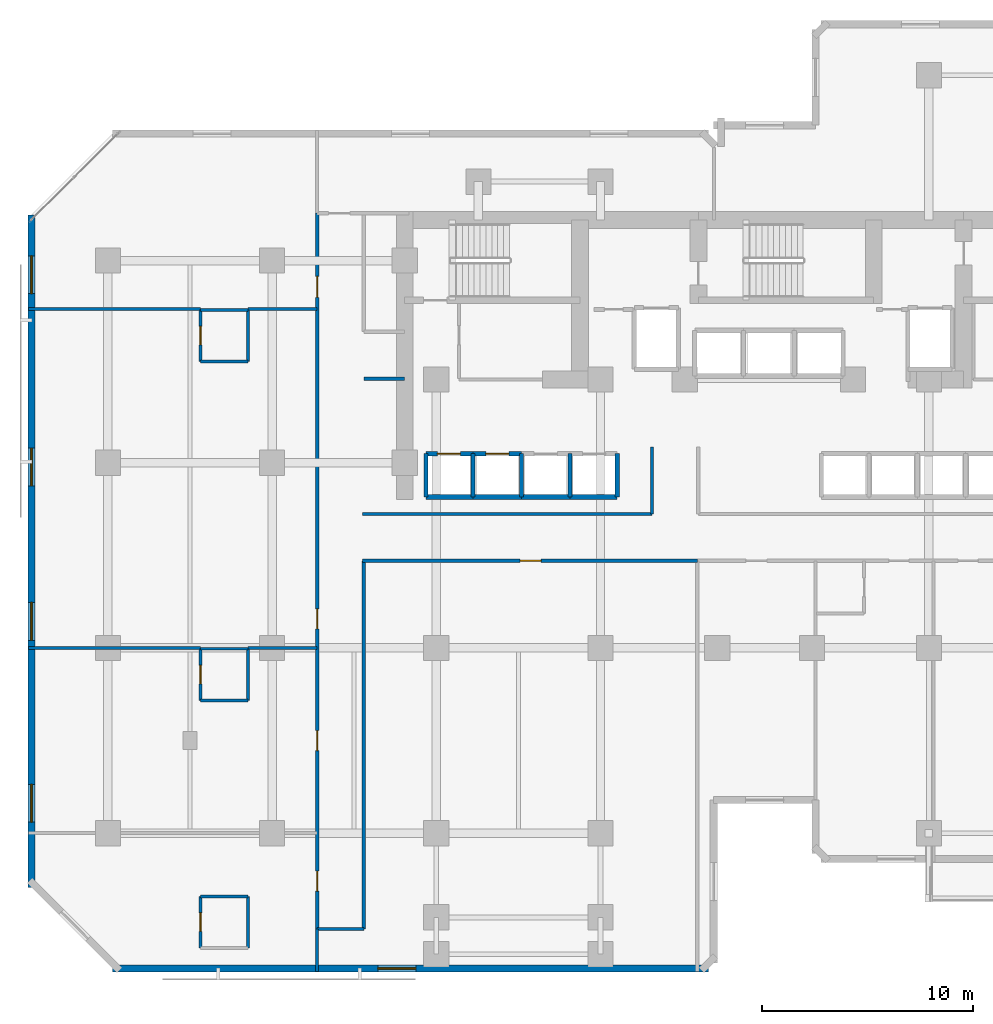
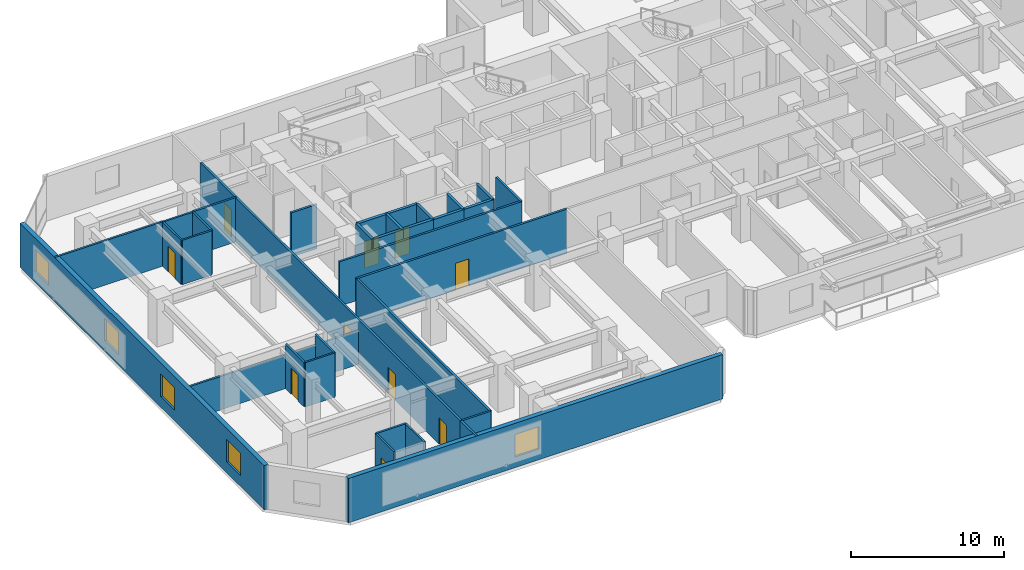
# One storey, part 6 of 12: 36 walls, 10 doors, 5 windows, 15 openings.
"""IFC4 building model written with IfcOpenShell, lengths in metres."""

from ifc_helpers import new_model, si_unit, direction, frame, frame_2d, origin, place, context, subcontext, project, spatial, rectangle, extrude, material, layer, layer_set, type_object, element, fill, save


model = new_model("IFC4")

# Units and contexts
model_context = context("Model", 3, precision=1e-05, world=origin(), true_north=direction((0.0, 1.0)))
body_context = subcontext(model_context, "Body", "Model", "MODEL_VIEW")
ifc_project = project(units=[si_unit("LENGTHUNIT", "METRE"), si_unit("AREAUNIT", "SQUARE_METRE"), si_unit("VOLUMEUNIT", "CUBIC_METRE"), si_unit("PLANEANGLEUNIT", "RADIAN"), si_unit("MASSUNIT", "GRAM", prefix="KILO")], contexts=[model_context])

# Site, building, storey
site_placement = place(None, origin())
site = spatial("IfcSite", under=ifc_project, at=site_placement, CompositionType="ELEMENT")
building_placement = place(site_placement, origin())
building = spatial("IfcBuilding", under=site, at=building_placement, Name="Kestravale Grand Hotel", CompositionType="ELEMENT")
storey_placement = place(building_placement, frame((0.0, 0.0, 110.800048828125)))
storey = spatial("IfcBuildingStorey", under=building, at=storey_placement, Name="L27", CompositionType="ELEMENT", Elevation=110.800048828125)

# Wall, opening, window
ifc_material_1 = material(Name="Precast concrete f'c 45 MPa", Category="concrete")
ifc_layer_1 = layer(ifc_material_1, 0.340087890625)
ifc_layer_set_1 = layer_set([ifc_layer_1], Name="EW-PREC-340")
wall_type_1 = type_object("IfcWallType", Name="EW-PREC-340", PredefinedType="SOLIDWALL", material=ifc_layer_set_1)
wall_1_placement = place(storey_placement, frame((8.030029296875, 4.77001953125, 0.0), z_axis=(0.0, 0.0, 1.0), x_axis=(1.0, 0.0, 0.0)))
wall_1 = element("IfcWall", 1, at=wall_1_placement, inside=storey, type_object=wall_type_1, Name="L27 fluted precast facade wall 1", PredefinedType="SOLIDWALL", context=body_context, shape_type="SweptSolid", body=[
    extrude(rectangle(XDim=28.2900390625, YDim=0.340087890625, at=frame_2d((14.14501953125, 0.0))), origin(), (0.0, 0.0, 1.0), 3.5400390625),
])
opening_1_placement = place(wall_1_placement, frame((12.594970703125, 0.0, 0.85009765625)))
opening_1 = element("IfcOpeningElement", 2, at=opening_1_placement, cuts=wall_1, Name="Opening W-GUEST-1800", PredefinedType="OPENING", context=body_context, shape_type="SweptSolid", body=[
    extrude(rectangle(XDim=1.800048828125, YDim=1.800048828125, at=frame_2d((0.89990234375, 0.89990234375))), frame((0.0, 0.179931640625, 0.0), z_axis=(0.0, -1.0, 0.0), x_axis=(1.0, 0.0, 0.0)), (0.0, 0.0, 1.0), 0.360107421875),
])
ifc_material_2 = material(Name="Insulated low-E double glazing in aluminium frame", Category="aluminium")
window_type = type_object("IfcWindowType", Name="W-GUEST-1800", PartitioningType="DOUBLE_PANEL_VERTICAL", PredefinedType="WINDOW", material=ifc_material_2)
window_1_placement = place(opening_1_placement, origin())
window_1 = element("IfcWindow", 3, at=window_1_placement, inside=storey, type_object=window_type, Name="L27 exterior window 1.1", OverallHeight=1.800048828125, OverallWidth=1.800048828125, PartitioningType="SINGLE_PANEL", PredefinedType="WINDOW", context=body_context, shape_type="SweptSolid", body=[
    extrude(rectangle(XDim=1.800048828125, YDim=1.800048828125, at=frame_2d((0.89990234375, 0.89990234375))), frame((0.0, 0.030029296875, 0.0), z_axis=(0.0, -1.0, 0.0), x_axis=(1.0, 0.0, 0.0)), (0.0, 0.0, 1.0), 0.06005859375),
])
fill(opening_1, window_1)

# Wall, openings, windows
wall_2_placement = place(storey_placement, frame((4.169921875, 40.570068359375, 0.0), z_axis=(0.0, 0.0, 1.0), x_axis=(0.0, -1.0, 0.0)))
wall_2 = element("IfcWall", 4, at=wall_2_placement, inside=storey, type_object=wall_type_1, Name="L27 fluted precast facade wall 19", PredefinedType="SOLIDWALL", context=body_context, shape_type="SweptSolid", body=[
    extrude(rectangle(XDim=31.940185546875, YDim=0.340087890625, at=frame_2d((15.97021484375, 0.0))), origin(), (0.0, 0.0, 1.0), 3.5400390625),
])
opening_2_placement = place(wall_2_placement, frame((1.9423828125, 0.0, 0.85009765625)))
opening_2 = element("IfcOpeningElement", 5, at=opening_2_placement, cuts=wall_2, Name="Opening W-GUEST-1800", PredefinedType="OPENING", context=body_context, shape_type="SweptSolid", body=[
    extrude(rectangle(XDim=1.800048828125, YDim=1.800048828125, at=frame_2d((0.89990234375, 0.89990234375))), frame((0.0, 0.179931640625, 0.0), z_axis=(0.0, -1.0, 0.0), x_axis=(1.0, 0.0, 0.0)), (0.0, 0.0, 1.0), 0.360107421875),
])
opening_3_placement = place(wall_2_placement, frame((11.077392578125, 0.0, 0.85009765625)))
opening_3 = element("IfcOpeningElement", 6, at=opening_3_placement, cuts=wall_2, Name="Opening W-GUEST-1800", PredefinedType="OPENING", context=body_context, shape_type="SweptSolid", body=[
    extrude(rectangle(XDim=1.800048828125, YDim=1.800048828125, at=frame_2d((0.89990234375, 0.89990234375))), frame((0.0, 0.179931640625, 0.0), z_axis=(0.0, -1.0, 0.0), x_axis=(1.0, 0.0, 0.0)), (0.0, 0.0, 1.0), 0.360107421875),
])
opening_4_placement = place(wall_2_placement, frame((18.41259765625, 0.0, 0.85009765625)))
opening_4 = element("IfcOpeningElement", 7, at=opening_4_placement, cuts=wall_2, Name="Opening W-GUEST-1800", PredefinedType="OPENING", context=body_context, shape_type="SweptSolid", body=[
    extrude(rectangle(XDim=1.800048828125, YDim=1.800048828125, at=frame_2d((0.89990234375, 0.89990234375))), frame((0.0, 0.179931640625, 0.0), z_axis=(0.0, -1.0, 0.0), x_axis=(1.0, 0.0, 0.0)), (0.0, 0.0, 1.0), 0.360107421875),
])
opening_5_placement = place(wall_2_placement, frame((27.047607421875, 0.0, 0.85009765625)))
opening_5 = element("IfcOpeningElement", 8, at=opening_5_placement, cuts=wall_2, Name="Opening W-GUEST-1800", PredefinedType="OPENING", context=body_context, shape_type="SweptSolid", body=[
    extrude(rectangle(XDim=1.800048828125, YDim=1.800048828125, at=frame_2d((0.89990234375, 0.89990234375))), frame((0.0, 0.179931640625, 0.0), z_axis=(0.0, -1.0, 0.0), x_axis=(1.0, 0.0, 0.0)), (0.0, 0.0, 1.0), 0.360107421875),
])
window_2_placement = place(opening_2_placement, origin())
window_2 = element("IfcWindow", 9, at=window_2_placement, inside=storey, type_object=window_type, Name="L27 exterior window 19.1", OverallHeight=1.800048828125, OverallWidth=1.800048828125, PartitioningType="SINGLE_PANEL", PredefinedType="WINDOW", context=body_context, shape_type="SweptSolid", body=[
    extrude(rectangle(XDim=1.800048828125, YDim=1.800048828125, at=frame_2d((0.89990234375, 0.89990234375))), frame((0.0, 0.030029296875, 0.0), z_axis=(0.0, -1.0, 0.0), x_axis=(1.0, 0.0, 0.0)), (0.0, 0.0, 1.0), 0.06005859375),
])
fill(opening_2, window_2)
window_3_placement = place(opening_3_placement, origin())
window_3 = element("IfcWindow", 10, at=window_3_placement, inside=storey, type_object=window_type, Name="L27 exterior window 19.2", OverallHeight=1.800048828125, OverallWidth=1.800048828125, PartitioningType="SINGLE_PANEL", PredefinedType="WINDOW", context=body_context, shape_type="SweptSolid", body=[
    extrude(rectangle(XDim=1.800048828125, YDim=1.800048828125, at=frame_2d((0.89990234375, 0.89990234375))), frame((0.0, 0.030029296875, 0.0), z_axis=(0.0, -1.0, 0.0), x_axis=(1.0, 0.0, 0.0)), (0.0, 0.0, 1.0), 0.06005859375),
])
fill(opening_3, window_3)
window_4_placement = place(opening_4_placement, origin())
window_4 = element("IfcWindow", 11, at=window_4_placement, inside=storey, type_object=window_type, Name="L27 exterior window 19.3", OverallHeight=1.800048828125, OverallWidth=1.800048828125, PartitioningType="SINGLE_PANEL", PredefinedType="WINDOW", context=body_context, shape_type="SweptSolid", body=[
    extrude(rectangle(XDim=1.800048828125, YDim=1.800048828125, at=frame_2d((0.89990234375, 0.89990234375))), frame((0.0, 0.030029296875, 0.0), z_axis=(0.0, -1.0, 0.0), x_axis=(1.0, 0.0, 0.0)), (0.0, 0.0, 1.0), 0.06005859375),
])
fill(opening_4, window_4)
window_5_placement = place(opening_5_placement, origin())
window_5 = element("IfcWindow", 12, at=window_5_placement, inside=storey, type_object=window_type, Name="L27 exterior window 19.4", OverallHeight=1.800048828125, OverallWidth=1.800048828125, PartitioningType="SINGLE_PANEL", PredefinedType="WINDOW", context=body_context, shape_type="SweptSolid", body=[
    extrude(rectangle(XDim=1.800048828125, YDim=1.800048828125, at=frame_2d((0.89990234375, 0.89990234375))), frame((0.0, 0.030029296875, 0.0), z_axis=(0.0, -1.0, 0.0), x_axis=(1.0, 0.0, 0.0)), (0.0, 0.0, 1.0), 0.06005859375),
])
fill(opening_5, window_5)

# Walls
ifc_material_3 = material(Name="Acoustic fire-rated gypsum board partition", Category="other")
ifc_layer_2 = layer(ifc_material_3, 0.159912109375)
ifc_layer_set_2 = layer_set([ifc_layer_2], Name="IW-CORR-160")
wall_type_2 = type_object("IfcWallType", Name="IW-CORR-160", PredefinedType="PARTITIONING", material=ifc_layer_set_2)
wall_3_placement = place(storey_placement, frame((19.89990234375, 26.360107421875, 0.0), z_axis=(0.0, 0.0, 1.0), x_axis=(1.0, 0.0, 0.0)))
element("IfcWall", 13, at=wall_3_placement, inside=storey, type_object=wall_type_2, Name="W-L27-CW-N", PredefinedType="PARTITIONING", context=body_context, shape_type="SweptSolid", body=[
    extrude(rectangle(XDim=13.75, YDim=0.159912109375, at=frame_2d((6.875, 0.0))), origin(), (0.0, 0.0, 1.0), 3.5400390625),
])
wall_4_placement = place(storey_placement, frame((33.64990234375, 26.360107421875, 0.0), z_axis=(0.0, 0.0, 1.0), x_axis=(0.0, 1.0, 0.0)))
element("IfcWall", 14, at=wall_4_placement, inside=storey, type_object=wall_type_2, Name="W-L27-TRUNK-W", PredefinedType="PARTITIONING", context=body_context, shape_type="SweptSolid", body=[
    extrude(rectangle(XDim=3.18994140625, YDim=0.159912109375, at=frame_2d((1.594970703125, 0.0))), origin(), (0.0, 0.0, 1.0), 3.5400390625),
])

# Wall, opening, door
wall_5_placement = place(storey_placement, frame((19.89990234375, 24.139892578125, 0.0), z_axis=(0.0, 0.0, 1.0), x_axis=(1.0, 0.0, 0.0)))
wall_5 = element("IfcWall", 15, at=wall_5_placement, inside=storey, type_object=wall_type_2, Name="W-L27-CW-S", PredefinedType="PARTITIONING", context=body_context, shape_type="SweptSolid", body=[
    extrude(rectangle(XDim=15.900146484375, YDim=0.159912109375, at=frame_2d((7.9501953125, 0.0))), origin(), (0.0, 0.0, 1.0), 3.5400390625),
])
opening_6_placement = place(wall_5_placement, frame((7.47998046875, 0.0, 0.0)))
opening_6 = element("IfcOpeningElement", 16, at=opening_6_placement, cuts=wall_5, Name="Opening D-GUEST-1000", PredefinedType="OPENING", context=body_context, shape_type="SweptSolid", body=[
    extrude(rectangle(XDim=1.0, YDim=2.14990234375, at=frame_2d((0.5, 1.074951171875))), frame((0.0, 0.08984375, 0.0), z_axis=(0.0, -1.0, 0.0), x_axis=(1.0, 0.0, 0.0)), (0.0, 0.0, 1.0), 0.179931640625),
])
ifc_material_4 = material(Name="Accessible walnut veneer hotel entrance fire door", Category="wood")
door_type_1 = type_object("IfcDoorType", Name="D-GUEST-1000", OperationType="NOTDEFINED", PredefinedType="DOOR", material=ifc_material_4)
door_1_placement = place(opening_6_placement, origin())
door_1 = element("IfcDoor", 17, at=door_1_placement, inside=storey, type_object=door_type_1, Name="D-L27-AMW", OperationType="SINGLE_SWING_RIGHT", OverallHeight=2.14990234375, OverallWidth=1.0, PredefinedType="DOOR", context=body_context, shape_type="SweptSolid", body=[
    extrude(rectangle(XDim=1.0, YDim=2.14990234375, at=frame_2d((0.5, 1.074951171875))), frame((0.0, 0.02490234375, 0.0), z_axis=(0.0, -1.0, 0.0), x_axis=(1.0, 0.0, 0.0)), (0.0, 0.0, 1.0), 0.050048828125),
])
fill(opening_6, door_1)

# Wall, openings, doors
wall_6_placement = place(storey_placement, frame((17.739990234375, 6.64990234375, 0.0), z_axis=(0.0, 0.0, 1.0), x_axis=(0.0, 1.0, 0.0)))
wall_6 = element("IfcWall", 18, at=wall_6_placement, inside=storey, type_object=wall_type_2, Name="W-L27-SW-W", PredefinedType="PARTITIONING", context=body_context, shape_type="SweptSolid", body=[
    extrude(rectangle(XDim=34.0, YDim=0.159912109375, at=frame_2d((17.0, 0.0))), origin(), (0.0, 0.0, 1.0), 3.5400390625),
])
opening_7_placement = place(wall_6_placement, frame((1.800048828125, 0.0, 0.0)))
opening_7 = element("IfcOpeningElement", 19, at=opening_7_placement, cuts=wall_6, Name="Opening D-GUEST-950", PredefinedType="OPENING", context=body_context, shape_type="SweptSolid", body=[
    extrude(rectangle(XDim=0.949951171875, YDim=2.10009765625, at=frame_2d((0.47509765625, 1.050048828125))), frame((0.0, 0.08984375, 0.0), z_axis=(0.0, -1.0, 0.0), x_axis=(1.0, 0.0, 0.0)), (0.0, 0.0, 1.0), 0.179931640625),
])
opening_8_placement = place(wall_6_placement, frame((8.47509765625, 0.0, 0.0)))
opening_8 = element("IfcOpeningElement", 20, at=opening_8_placement, cuts=wall_6, Name="Opening D-GUEST-950", PredefinedType="OPENING", context=body_context, shape_type="SweptSolid", body=[
    extrude(rectangle(XDim=0.949951171875, YDim=2.10009765625, at=frame_2d((0.47509765625, 1.050048828125))), frame((0.0, 0.08984375, 0.0), z_axis=(0.0, -1.0, 0.0), x_axis=(1.0, 0.0, 0.0)), (0.0, 0.0, 1.0), 0.179931640625),
])
opening_9_placement = place(wall_6_placement, frame((14.254638671875, 0.0, 0.0)))
opening_9 = element("IfcOpeningElement", 21, at=opening_9_placement, cuts=wall_6, Name="Opening D-GUEST-950", PredefinedType="OPENING", context=body_context, shape_type="SweptSolid", body=[
    extrude(rectangle(XDim=0.949951171875, YDim=2.10009765625, at=frame_2d((0.47509765625, 1.050048828125))), frame((0.0, 0.08984375, 0.0), z_axis=(0.0, -1.0, 0.0), x_axis=(1.0, 0.0, 0.0)), (0.0, 0.0, 1.0), 0.179931640625),
])
opening_10_placement = place(wall_6_placement, frame((30.0, 0.0, 0.0)))
opening_10 = element("IfcOpeningElement", 22, at=opening_10_placement, cuts=wall_6, Name="Opening D-GUEST-1000", PredefinedType="OPENING", context=body_context, shape_type="SweptSolid", body=[
    extrude(rectangle(XDim=1.0, YDim=2.14990234375, at=frame_2d((0.5, 1.074951171875))), frame((0.0, 0.08984375, 0.0), z_axis=(0.0, -1.0, 0.0), x_axis=(1.0, 0.0, 0.0)), (0.0, 0.0, 1.0), 0.179931640625),
])
door_2_placement = place(opening_10_placement, origin())
door_2 = element("IfcDoor", 23, at=door_2_placement, inside=storey, type_object=door_type_1, Name="D-L27-AMWW", OperationType="SINGLE_SWING_RIGHT", OverallHeight=2.14990234375, OverallWidth=1.0, PredefinedType="DOOR", context=body_context, shape_type="SweptSolid", body=[
    extrude(rectangle(XDim=1.0, YDim=2.14990234375, at=frame_2d((0.5, 1.074951171875))), frame((0.0, 0.02490234375, 0.0), z_axis=(0.0, -1.0, 0.0), x_axis=(1.0, 0.0, 0.0)), (0.0, 0.0, 1.0), 0.050048828125),
])
fill(opening_10, door_2)
ifc_material_5 = material(Name="Walnut veneer hotel guestroom entrance fire door", Category="wood")
door_type_2 = type_object("IfcDoorType", Name="D-GUEST-950", OperationType="NOTDEFINED", PredefinedType="DOOR", material=ifc_material_5)
door_3_placement = place(opening_7_placement, origin())
door_3 = element("IfcDoor", 24, at=door_3_placement, inside=storey, type_object=door_type_2, Name="D-L27-U04-ENT", OperationType="SINGLE_SWING_LEFT", OverallHeight=2.10009765625, OverallWidth=0.949951171875, PredefinedType="DOOR", context=body_context, shape_type="SweptSolid", body=[
    extrude(rectangle(XDim=0.949951171875, YDim=2.10009765625, at=frame_2d((0.47509765625, 1.050048828125))), frame((0.0, 0.02490234375, 0.0), z_axis=(0.0, -1.0, 0.0), x_axis=(1.0, 0.0, 0.0)), (0.0, 0.0, 1.0), 0.050048828125),
])
fill(opening_7, door_3)
door_4_placement = place(opening_8_placement, origin())
door_4 = element("IfcDoor", 25, at=door_4_placement, inside=storey, type_object=door_type_2, Name="D-L27-U05-ENT", OperationType="SINGLE_SWING_LEFT", OverallHeight=2.10009765625, OverallWidth=0.949951171875, PredefinedType="DOOR", context=body_context, shape_type="SweptSolid", body=[
    extrude(rectangle(XDim=0.949951171875, YDim=2.10009765625, at=frame_2d((0.47509765625, 1.050048828125))), frame((0.0, 0.02490234375, 0.0), z_axis=(0.0, -1.0, 0.0), x_axis=(1.0, 0.0, 0.0)), (0.0, 0.0, 1.0), 0.050048828125),
])
fill(opening_8, door_4)
door_5_placement = place(opening_9_placement, origin())
door_5 = element("IfcDoor", 26, at=door_5_placement, inside=storey, type_object=door_type_2, Name="D-L27-U06-ENT", OperationType="SINGLE_SWING_LEFT", OverallHeight=2.10009765625, OverallWidth=0.949951171875, PredefinedType="DOOR", context=body_context, shape_type="SweptSolid", body=[
    extrude(rectangle(XDim=0.949951171875, YDim=2.10009765625, at=frame_2d((0.47509765625, 1.050048828125))), frame((0.0, 0.02490234375, 0.0), z_axis=(0.0, -1.0, 0.0), x_axis=(1.0, 0.0, 0.0)), (0.0, 0.0, 1.0), 0.050048828125),
])
fill(opening_9, door_5)

# Walls
wall_7_placement = place(storey_placement, frame((19.9599609375, 6.64990234375, 0.0), z_axis=(0.0, 0.0, 1.0), x_axis=(0.0, 1.0, 0.0)))
element("IfcWall", 27, at=wall_7_placement, inside=storey, type_object=wall_type_2, Name="W-L27-SW-E", PredefinedType="PARTITIONING", context=body_context, shape_type="SweptSolid", body=[
    extrude(rectangle(XDim=17.489990234375, YDim=0.159912109375, at=frame_2d((8.7451171875, 0.0))), origin(), (0.0, 0.0, 1.0), 3.5400390625),
])
wall_8_placement = place(storey_placement, frame((19.9599609375, 32.780029296875, 0.0), z_axis=(0.0, 0.0, 1.0), x_axis=(1.0, 0.0, 0.0)))
element("IfcWall", 28, at=wall_8_placement, inside=storey, type_object=wall_type_2, Name="W-L27-SW-CS", PredefinedType="PARTITIONING", context=body_context, shape_type="SweptSolid", body=[
    extrude(rectangle(XDim=1.93994140625, YDim=0.159912109375, at=frame_2d((0.969970703125, 0.0))), origin(), (0.0, 0.0, 1.0), 3.5400390625),
])

# Wall, opening, door
ifc_material_6 = material(Name="Moisture-resistant tile-backer plumbing chase wall", Category="other")
ifc_layer_3 = layer(ifc_material_6, 0.139892578125)
ifc_layer_set_3 = layer_set([ifc_layer_3], Name="IW-PLB-140")
wall_type_3 = type_object("IfcWallType", Name="IW-PLB-140", PredefinedType="PLUMBINGWALL", material=ifc_layer_set_3)
wall_9_placement = place(storey_placement, frame((12.199951171875, 5.75, 0.0), z_axis=(0.0, 0.0, 1.0), x_axis=(0.0, 1.0, 0.0)))
wall_9 = element("IfcWall", 29, at=wall_9_placement, inside=storey, type_object=wall_type_3, Name="W-L27-U04-BW", PredefinedType="PLUMBINGWALL", context=body_context, shape_type="SweptSolid", body=[
    extrude(rectangle(XDim=2.449951171875, YDim=0.139892578125, at=frame_2d((1.22509765625, 0.0))), origin(), (0.0, 0.0, 1.0), 3.5400390625),
])
opening_11_placement = place(wall_9_placement, frame((0.784912109375, 0.0, 0.0)))
opening_11 = element("IfcOpeningElement", 30, at=opening_11_placement, cuts=wall_9, Name="Opening D-BATH-880", PredefinedType="OPENING", context=body_context, shape_type="SweptSolid", body=[
    extrude(rectangle(XDim=0.8798828125, YDim=2.050048828125, at=frame_2d((0.43994140625, 1.02490234375))), frame((0.0, 0.079833984375, 0.0), z_axis=(0.0, -1.0, 0.0), x_axis=(1.0, 0.0, 0.0)), (0.0, 0.0, 1.0), 0.159912109375),
])
ifc_material_7 = material(Name="Moisture-sealed walnut en-suite bathroom door", Category="wood")
door_type_3 = type_object("IfcDoorType", Name="D-BATH-880", OperationType="NOTDEFINED", PredefinedType="DOOR", material=ifc_material_7)
door_6_placement = place(opening_11_placement, origin())
door_6 = element("IfcDoor", 31, at=door_6_placement, inside=storey, type_object=door_type_3, Name="D-L27-U04-BATH", OperationType="SINGLE_SWING_RIGHT", OverallHeight=2.050048828125, OverallWidth=0.8798828125, PredefinedType="DOOR", context=body_context, shape_type="SweptSolid", body=[
    extrude(rectangle(XDim=0.8798828125, YDim=2.050048828125, at=frame_2d((0.43994140625, 1.02490234375))), frame((0.0, 0.02490234375, 0.0), z_axis=(0.0, -1.0, 0.0), x_axis=(1.0, 0.0, 0.0)), (0.0, 0.0, 1.0), 0.050048828125),
])
fill(opening_11, door_6)

# Walls
wall_10_placement = place(storey_placement, frame((14.449951171875, 5.75, 0.0), z_axis=(0.0, 0.0, 1.0), x_axis=(0.0, 1.0, 0.0)))
element("IfcWall", 32, at=wall_10_placement, inside=storey, type_object=wall_type_3, Name="W-L27-U04-BE", PredefinedType="PLUMBINGWALL", context=body_context, shape_type="SweptSolid", body=[
    extrude(rectangle(XDim=2.449951171875, YDim=0.139892578125, at=frame_2d((1.22509765625, 0.0))), origin(), (0.0, 0.0, 1.0), 3.5400390625),
])
wall_11_placement = place(storey_placement, frame((12.199951171875, 8.199951171875, 0.0), z_axis=(0.0, 0.0, 1.0), x_axis=(1.0, 0.0, 0.0)))
element("IfcWall", 33, at=wall_11_placement, inside=storey, type_object=wall_type_3, Name="W-L27-U04-BN", PredefinedType="PLUMBINGWALL", context=body_context, shape_type="SweptSolid", body=[
    extrude(rectangle(XDim=2.25, YDim=0.139892578125, at=frame_2d((1.125, 0.0))), origin(), (0.0, 0.0, 1.0), 3.5400390625),
])

# Wall, opening, door
wall_12_placement = place(storey_placement, frame((12.199951171875, 17.510009765625, 0.0), z_axis=(0.0, 0.0, 1.0), x_axis=(0.0, 1.0, 0.0)))
wall_12 = element("IfcWall", 34, at=wall_12_placement, inside=storey, type_object=wall_type_3, Name="W-L27-U05-BW", PredefinedType="PLUMBINGWALL", context=body_context, shape_type="SweptSolid", body=[
    extrude(rectangle(XDim=2.449951171875, YDim=0.139892578125, at=frame_2d((1.22509765625, 0.0))), origin(), (0.0, 0.0, 1.0), 3.5400390625),
])
opening_12_placement = place(wall_12_placement, frame((0.784912109375, 0.0, 0.0)))
opening_12 = element("IfcOpeningElement", 35, at=opening_12_placement, cuts=wall_12, Name="Opening D-BATH-880", PredefinedType="OPENING", context=body_context, shape_type="SweptSolid", body=[
    extrude(rectangle(XDim=0.8798828125, YDim=2.050048828125, at=frame_2d((0.43994140625, 1.02490234375))), frame((0.0, 0.079833984375, 0.0), z_axis=(0.0, -1.0, 0.0), x_axis=(1.0, 0.0, 0.0)), (0.0, 0.0, 1.0), 0.159912109375),
])
door_7_placement = place(opening_12_placement, origin())
door_7 = element("IfcDoor", 36, at=door_7_placement, inside=storey, type_object=door_type_3, Name="D-L27-U05-BATH", OperationType="SINGLE_SWING_RIGHT", OverallHeight=2.050048828125, OverallWidth=0.8798828125, PredefinedType="DOOR", context=body_context, shape_type="SweptSolid", body=[
    extrude(rectangle(XDim=0.8798828125, YDim=2.050048828125, at=frame_2d((0.43994140625, 1.02490234375))), frame((0.0, 0.02490234375, 0.0), z_axis=(0.0, -1.0, 0.0), x_axis=(1.0, 0.0, 0.0)), (0.0, 0.0, 1.0), 0.050048828125),
])
fill(opening_12, door_7)

# Walls
wall_13_placement = place(storey_placement, frame((14.449951171875, 17.510009765625, 0.0), z_axis=(0.0, 0.0, 1.0), x_axis=(0.0, 1.0, 0.0)))
element("IfcWall", 37, at=wall_13_placement, inside=storey, type_object=wall_type_3, Name="W-L27-U05-BE", PredefinedType="PLUMBINGWALL", context=body_context, shape_type="SweptSolid", body=[
    extrude(rectangle(XDim=2.449951171875, YDim=0.139892578125, at=frame_2d((1.22509765625, 0.0))), origin(), (0.0, 0.0, 1.0), 3.5400390625),
])
wall_14_placement = place(storey_placement, frame((12.199951171875, 17.510009765625, 0.0), z_axis=(0.0, 0.0, 1.0), x_axis=(1.0, 0.0, 0.0)))
element("IfcWall", 38, at=wall_14_placement, inside=storey, type_object=wall_type_3, Name="W-L27-U05-BS", PredefinedType="PLUMBINGWALL", context=body_context, shape_type="SweptSolid", body=[
    extrude(rectangle(XDim=2.25, YDim=0.139892578125, at=frame_2d((1.125, 0.0))), origin(), (0.0, 0.0, 1.0), 3.5400390625),
])
wall_15_placement = place(storey_placement, frame((12.199951171875, 19.9599609375, 0.0), z_axis=(0.0, 0.0, 1.0), x_axis=(1.0, 0.0, 0.0)))
element("IfcWall", 39, at=wall_15_placement, inside=storey, type_object=wall_type_3, Name="W-L27-U05-BN", PredefinedType="PLUMBINGWALL", context=body_context, shape_type="SweptSolid", body=[
    extrude(rectangle(XDim=2.25, YDim=0.139892578125, at=frame_2d((1.125, 0.0))), origin(), (0.0, 0.0, 1.0), 2.678955078125),
])

# Wall, opening, door
wall_16_placement = place(storey_placement, frame((12.199951171875, 33.610107421875, 0.0), z_axis=(0.0, 0.0, 1.0), x_axis=(0.0, 1.0, 0.0)))
wall_16 = element("IfcWall", 40, at=wall_16_placement, inside=storey, type_object=wall_type_3, Name="W-L27-U06-BW", PredefinedType="PLUMBINGWALL", context=body_context, shape_type="SweptSolid", body=[
    extrude(rectangle(XDim=2.449951171875, YDim=0.139892578125, at=frame_2d((1.22509765625, 0.0))), origin(), (0.0, 0.0, 1.0), 3.5400390625),
])
opening_13_placement = place(wall_16_placement, frame((0.784912109375, 0.0, 0.0)))
opening_13 = element("IfcOpeningElement", 41, at=opening_13_placement, cuts=wall_16, Name="Opening D-BATH-880", PredefinedType="OPENING", context=body_context, shape_type="SweptSolid", body=[
    extrude(rectangle(XDim=0.8798828125, YDim=2.050048828125, at=frame_2d((0.43994140625, 1.02490234375))), frame((0.0, 0.079833984375, 0.0), z_axis=(0.0, -1.0, 0.0), x_axis=(1.0, 0.0, 0.0)), (0.0, 0.0, 1.0), 0.159912109375),
])
door_8_placement = place(opening_13_placement, origin())
door_8 = element("IfcDoor", 42, at=door_8_placement, inside=storey, type_object=door_type_3, Name="D-L27-U06-BATH", OperationType="SINGLE_SWING_RIGHT", OverallHeight=2.050048828125, OverallWidth=0.8798828125, PredefinedType="DOOR", context=body_context, shape_type="SweptSolid", body=[
    extrude(rectangle(XDim=0.8798828125, YDim=2.050048828125, at=frame_2d((0.43994140625, 1.02490234375))), frame((0.0, 0.02490234375, 0.0), z_axis=(0.0, -1.0, 0.0), x_axis=(1.0, 0.0, 0.0)), (0.0, 0.0, 1.0), 0.050048828125),
])
fill(opening_13, door_8)

# Walls
wall_17_placement = place(storey_placement, frame((14.449951171875, 33.610107421875, 0.0), z_axis=(0.0, 0.0, 1.0), x_axis=(0.0, 1.0, 0.0)))
element("IfcWall", 43, at=wall_17_placement, inside=storey, type_object=wall_type_3, Name="W-L27-U06-BE", PredefinedType="PLUMBINGWALL", context=body_context, shape_type="SweptSolid", body=[
    extrude(rectangle(XDim=2.449951171875, YDim=0.139892578125, at=frame_2d((1.22509765625, 0.0))), origin(), (0.0, 0.0, 1.0), 3.5400390625),
])
for number, where, z_axis, x_axis, name in (
    (44, (12.199951171875, 33.610107421875, 0.0), (0.0, 0.0, 1.0), (1.0, 0.0, 0.0), "W-L27-U06-BS"),
    (45, (12.199951171875, 36.06005859375, 0.0), (0.0, 0.0, 1.0), (1.0, 0.0, 0.0), "W-L27-U06-BN"),
):
    element("IfcWall", number, at=place(storey_placement, frame(where, z_axis=z_axis, x_axis=x_axis)), inside=storey, type_object=wall_type_3, Name=name, PredefinedType="PLUMBINGWALL", context=body_context, shape_type="SweptSolid", body=[
        extrude(rectangle(XDim=2.25, YDim=0.139892578125, at=frame_2d((1.125, 0.0))), origin(), (0.0, 0.0, 1.0), 3.5400390625),
    ])
ifc_material_8 = material(Name="Concrete f'c 45 MPa", Category="concrete")
ifc_layer_4 = layer(ifc_material_8, 0.199951171875)
ifc_layer_set_4 = layer_set([ifc_layer_4], Name="IW-SHAFT-200")
wall_type_4 = type_object("IfcWallType", Name="IW-SHAFT-200", PredefinedType="SHEAR", material=ifc_layer_set_4)
for number, where, z_axis, x_axis, name in (
    (46, (22.905029296875, 27.169921875, 0.0), (0.0, 0.0, 1.0), (0.0, 1.0, 0.0), "L27 PL-L1 west shaft wall"),
    (47, (25.14990234375, 27.169921875, 0.0), (0.0, 0.0, 1.0), (0.0, 1.0, 0.0), "L27 PL-L2 west shaft wall"),
    (48, (27.449951171875, 27.169921875, 0.0), (0.0, 0.0, 1.0), (0.0, 1.0, 0.0), "L27 PL-L3 west shaft wall"),
    (49, (29.75, 27.169921875, 0.0), (0.0, 0.0, 1.0), (0.0, 1.0, 0.0), "L27 PL-L4 west shaft wall"),
    (50, (31.9951171875, 27.169921875, 0.0), (0.0, 0.0, 1.0), (0.0, 1.0, 0.0), "L27 PL-L4 east shaft wall"),
):
    element("IfcWall", number, at=place(storey_placement, frame(where, z_axis=z_axis, x_axis=x_axis)), inside=storey, type_object=wall_type_4, Name=name, PredefinedType="SHEAR", context=body_context, shape_type="SweptSolid", body=[
        extrude(rectangle(XDim=2.06005859375, YDim=0.199951171875, at=frame_2d((1.030029296875, 0.0))), origin(), (0.0, 0.0, 1.0), 3.800048828125),
    ])

# Wall, opening, door
ifc_material_9 = material(Name="Concrete f'c 45 MPa", Category="concrete")
ifc_layer_5 = layer(ifc_material_9, 0.219970703125)
ifc_layer_set_5 = layer_set([ifc_layer_5], Name="IW-SHAFT-220")
wall_type_5 = type_object("IfcWallType", Name="IW-SHAFT-220", PredefinedType="SHEAR", material=ifc_layer_set_5)
wall_18_placement = place(storey_placement, frame((22.905029296875, 29.22998046875, 0.0), z_axis=(0.0, 0.0, 1.0), x_axis=(1.0, 0.0, 0.0)))
wall_18 = element("IfcWall", 51, at=wall_18_placement, inside=storey, type_object=wall_type_5, Name="L27 PL-L1 north shaft wall", PredefinedType="SHEAR", context=body_context, shape_type="SweptSolid", body=[
    extrude(rectangle(XDim=2.244873046875, YDim=0.219970703125, at=frame_2d((1.12255859375, 0.0))), origin(), (0.0, 0.0, 1.0), 3.800048828125),
])
opening_14_placement = place(wall_18_placement, frame((0.544921875, 0.0, 0.0)))
opening_14 = element("IfcOpeningElement", 52, at=opening_14_placement, cuts=wall_18, Name="Opening LD-PAX-1100", PredefinedType="OPENING", context=body_context, shape_type="SweptSolid", body=[
    extrude(rectangle(XDim=1.10009765625, YDim=2.14990234375, at=frame_2d((0.550048828125, 1.074951171875))), frame((0.0, 0.119873046875, 0.0), z_axis=(0.0, -1.0, 0.0), x_axis=(1.0, 0.0, 0.0)), (0.0, 0.0, 1.0), 0.239990234375),
])
ifc_material_10 = material(Name="Champagne-bronze center-opening sliding elevator landing door", Category="steel")
door_type_4 = type_object("IfcDoorType", Name="LD-PAX-1100", OperationType="NOTDEFINED", PredefinedType="DOOR", material=ifc_material_10)
door_9_placement = place(opening_14_placement, origin())
door_9 = element("IfcDoor", 53, at=door_9_placement, inside=storey, type_object=door_type_4, Name="L27 PL-L1 elevator landing sliding door", OperationType="DOUBLE_DOOR_SLIDING", OverallHeight=2.14990234375, OverallWidth=1.10009765625, PredefinedType="DOOR", context=body_context, shape_type="SweptSolid", body=[
    extrude(rectangle(XDim=1.10009765625, YDim=2.14990234375, at=frame_2d((0.550048828125, 1.074951171875))), frame((0.0, 0.02490234375, 0.0), z_axis=(0.0, -1.0, 0.0), x_axis=(1.0, 0.0, 0.0)), (0.0, 0.0, 1.0), 0.050048828125),
])
fill(opening_14, door_9)

# Wall
wall_19_placement = place(storey_placement, frame((22.905029296875, 27.169921875, 0.0), z_axis=(0.0, 0.0, 1.0), x_axis=(1.0, 0.0, 0.0)))
element("IfcWall", 54, at=wall_19_placement, inside=storey, type_object=wall_type_5, Name="L27 PL-L1 south shaft wall", PredefinedType="SHEAR", context=body_context, shape_type="SweptSolid", body=[
    extrude(rectangle(XDim=2.244873046875, YDim=0.219970703125, at=frame_2d((1.12255859375, 0.0))), origin(), (0.0, 0.0, 1.0), 3.800048828125),
])

# Wall, opening, door
wall_20_placement = place(storey_placement, frame((25.14990234375, 29.22998046875, 0.0), z_axis=(0.0, 0.0, 1.0), x_axis=(1.0, 0.0, 0.0)))
wall_20 = element("IfcWall", 55, at=wall_20_placement, inside=storey, type_object=wall_type_5, Name="L27 PL-L2 north shaft wall", PredefinedType="SHEAR", context=body_context, shape_type="SweptSolid", body=[
    extrude(rectangle(XDim=2.300048828125, YDim=0.219970703125, at=frame_2d((1.14990234375, 0.0))), origin(), (0.0, 0.0, 1.0), 3.800048828125),
])
opening_15_placement = place(wall_20_placement, frame((0.60009765625, 0.0, 0.0)))
opening_15 = element("IfcOpeningElement", 56, at=opening_15_placement, cuts=wall_20, Name="Opening LD-PAX-1100", PredefinedType="OPENING", context=body_context, shape_type="SweptSolid", body=[
    extrude(rectangle(XDim=1.10009765625, YDim=2.14990234375, at=frame_2d((0.550048828125, 1.074951171875))), frame((0.0, 0.119873046875, 0.0), z_axis=(0.0, -1.0, 0.0), x_axis=(1.0, 0.0, 0.0)), (0.0, 0.0, 1.0), 0.239990234375),
])
door_10_placement = place(opening_15_placement, origin())
door_10 = element("IfcDoor", 57, at=door_10_placement, inside=storey, type_object=door_type_4, Name="L27 PL-L2 elevator landing sliding door", OperationType="DOUBLE_DOOR_SLIDING", OverallHeight=2.14990234375, OverallWidth=1.10009765625, PredefinedType="DOOR", context=body_context, shape_type="SweptSolid", body=[
    extrude(rectangle(XDim=1.10009765625, YDim=2.14990234375, at=frame_2d((0.550048828125, 1.074951171875))), frame((0.0, 0.02490234375, 0.0), z_axis=(0.0, -1.0, 0.0), x_axis=(1.0, 0.0, 0.0)), (0.0, 0.0, 1.0), 0.050048828125),
])
fill(opening_15, door_10)

# Walls
for number, where, z_axis, x_axis, name in (
    (58, (25.14990234375, 27.169921875, 0.0), (0.0, 0.0, 1.0), (1.0, 0.0, 0.0), "L27 PL-L2 south shaft wall"),
    (59, (27.449951171875, 27.169921875, 0.0), (0.0, 0.0, 1.0), (1.0, 0.0, 0.0), "L27 PL-L3 south shaft wall"),
):
    element("IfcWall", number, at=place(storey_placement, frame(where, z_axis=z_axis, x_axis=x_axis)), inside=storey, type_object=wall_type_5, Name=name, PredefinedType="SHEAR", context=body_context, shape_type="SweptSolid", body=[
        extrude(rectangle(XDim=2.300048828125, YDim=0.219970703125, at=frame_2d((1.14990234375, 0.0))), origin(), (0.0, 0.0, 1.0), 3.800048828125),
    ])
wall_21_placement = place(storey_placement, frame((29.75, 27.169921875, 0.0), z_axis=(0.0, 0.0, 1.0), x_axis=(1.0, 0.0, 0.0)))
element("IfcWall", 60, at=wall_21_placement, inside=storey, type_object=wall_type_5, Name="L27 PL-L4 south shaft wall", PredefinedType="SHEAR", context=body_context, shape_type="SweptSolid", body=[
    extrude(rectangle(XDim=2.2451171875, YDim=0.219970703125, at=frame_2d((1.12255859375, 0.0))), origin(), (0.0, 0.0, 1.0), 3.800048828125),
])
ifc_material_11 = material(Name="Double-stud STC 52 acoustic demising partition", Category="other")
ifc_layer_6 = layer(ifc_material_11, 0.14990234375)
ifc_layer_set_6 = layer_set([ifc_layer_6], Name="IW-UNIT-150")
wall_type_6 = type_object("IfcWallType", Name="IW-UNIT-150", PredefinedType="PARTITIONING", material=ifc_layer_set_6)
wall_22_placement = place(storey_placement, frame((17.739990234375, 6.64990234375, 0.0), z_axis=(0.0, 0.0, 1.0), x_axis=(1.0, 0.0, 0.0)))
element("IfcWall", 61, at=wall_22_placement, inside=storey, type_object=wall_type_6, Name="W-L27-SW-S", PredefinedType="PARTITIONING", context=body_context, shape_type="SweptSolid", body=[
    extrude(rectangle(XDim=2.219970703125, YDim=0.14990234375, at=frame_2d((1.10986328125, 0.0))), origin(), (0.0, 0.0, 1.0), 3.5400390625),
])
wall_23_placement = place(storey_placement, frame((17.739990234375, 4.6201171875, 0.0), z_axis=(0.0, 0.0, 1.0), x_axis=(0.0, 1.0, 0.0)))
element("IfcWall", 62, at=wall_23_placement, inside=storey, type_object=wall_type_6, Name="W-L27-SW-EXT", PredefinedType="PARTITIONING", context=body_context, shape_type="SweptSolid", body=[
    extrude(rectangle(XDim=2.02978515625, YDim=0.14990234375, at=frame_2d((1.014892578125, 0.0))), origin(), (0.0, 0.0, 1.0), 3.5400390625),
])
wall_24_placement = place(storey_placement, frame((4.02001953125, 20.0, 0.0), z_axis=(0.0, 0.0, 1.0), x_axis=(1.0, 0.0, 0.0)))
element("IfcWall", 63, at=wall_24_placement, inside=storey, type_object=wall_type_6, Name="W-L27-WW-2", PredefinedType="PARTITIONING", context=body_context, shape_type="SweptSolid", body=[
    extrude(rectangle(XDim=8.179931640625, YDim=0.14990234375, at=frame_2d((4.08984375, 0.0))), origin(), (0.0, 0.0, 1.0), 2.678955078125),
])
wall_25_placement = place(storey_placement, frame((14.449951171875, 20.0, 0.0), z_axis=(0.0, 0.0, 1.0), x_axis=(1.0, 0.0, 0.0)))
element("IfcWall", 64, at=wall_25_placement, inside=storey, type_object=wall_type_6, Name="W-L27-WW-2", PredefinedType="PARTITIONING", context=body_context, shape_type="SweptSolid", body=[
    extrude(rectangle(XDim=3.2900390625, YDim=0.14990234375, at=frame_2d((1.64501953125, 0.0))), origin(), (0.0, 0.0, 1.0), 2.678955078125),
])
wall_26_placement = place(storey_placement, frame((4.02001953125, 36.10009765625, 0.0), z_axis=(0.0, 0.0, 1.0), x_axis=(1.0, 0.0, 0.0)))
element("IfcWall", 65, at=wall_26_placement, inside=storey, type_object=wall_type_6, Name="W-L27-WW-3", PredefinedType="PARTITIONING", context=body_context, shape_type="SweptSolid", body=[
    extrude(rectangle(XDim=8.179931640625, YDim=0.14990234375, at=frame_2d((4.08984375, 0.0))), origin(), (0.0, 0.0, 1.0), 3.5400390625),
])
wall_27_placement = place(storey_placement, frame((14.449951171875, 36.10009765625, 0.0), z_axis=(0.0, 0.0, 1.0), x_axis=(1.0, 0.0, 0.0)))
element("IfcWall", 66, at=wall_27_placement, inside=storey, type_object=wall_type_6, Name="W-L27-WW-3", PredefinedType="PARTITIONING", context=body_context, shape_type="SweptSolid", body=[
    extrude(rectangle(XDim=3.2900390625, YDim=0.14990234375, at=frame_2d((1.64501953125, 0.0))), origin(), (0.0, 0.0, 1.0), 3.5400390625),
])

save(model, "model.ifc")
